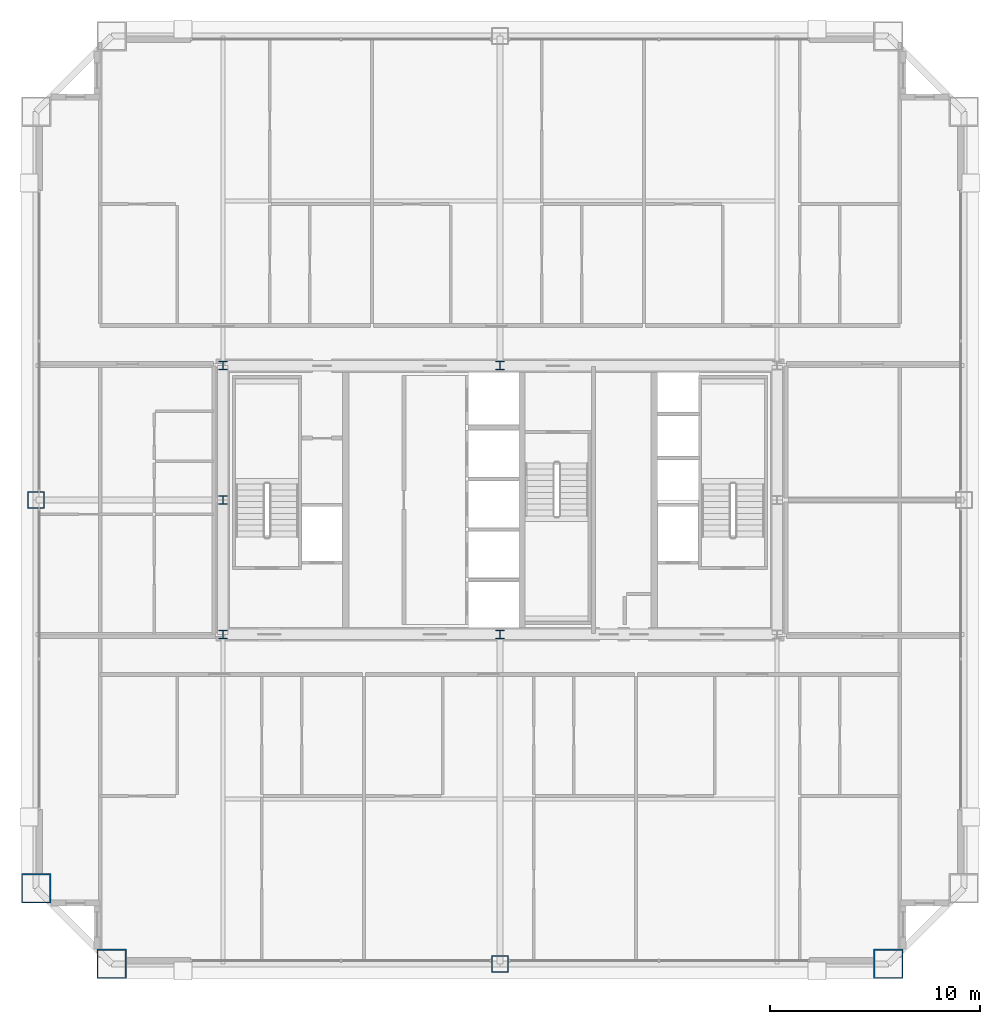
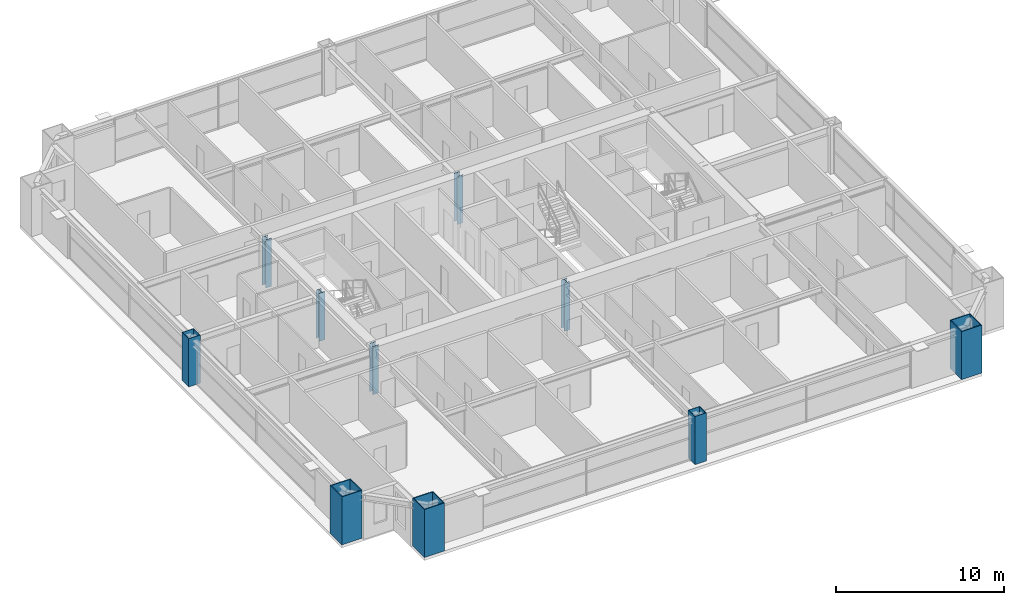
# One storey, part 1 of 38: 10 columns.
"""IFC4 building model written with IfcOpenShell, lengths in metres."""

from ifc_helpers import new_model, si_unit, direction, frame, origin, origin_2d, place, context, subcontext, project, spatial, hollow_rectangle, i_section, extrude, source, transform, mapped, material, material_profile, profile_set, type_object, element, save


model = new_model("IFC4")

# Units and contexts
model_context = context("Model", 3, precision=1e-05, world=origin(), true_north=direction((0.0, 1.0)))
body_context = subcontext(model_context, "Body", "Model", "MODEL_VIEW")
ifc_project = project(units=[si_unit("LENGTHUNIT", "METRE"), si_unit("AREAUNIT", "SQUARE_METRE"), si_unit("VOLUMEUNIT", "CUBIC_METRE"), si_unit("PLANEANGLEUNIT", "RADIAN"), si_unit("MASSUNIT", "GRAM", prefix="KILO"), si_unit("THERMODYNAMICTEMPERATUREUNIT", "KELVIN"), si_unit("POWERUNIT", "WATT")], contexts=[model_context])

# Site, building, storey
site_placement = place(None, origin())
site = spatial("IfcSite", under=ifc_project, at=site_placement, CompositionType="ELEMENT")
building_placement = place(site_placement, origin())
building = spatial("IfcBuilding", under=site, at=building_placement, Name="Yuzanri Waterfront Tower", CompositionType="ELEMENT")
storey_placement = place(building_placement, frame((0.0, 0.0, 209.0)))
storey = spatial("IfcBuildingStorey", under=building, at=storey_placement, Name="L55", CompositionType="ELEMENT", Elevation=209.0)

# Columns
ifc_material_1 = material(Name="Steel Q355B", Category="steel")
ifc_material_profile_1 = material_profile(ifc_material_1, i_section(OverallWidth=0.39990234375, OverallDepth=0.39990234375, WebThickness=0.012939453125, FlangeThickness=0.02099609375, at=origin_2d()), Name="HW 400x400x13x21")
ifc_profile_set_1 = profile_set([ifc_material_profile_1], Name="Steel Q355B")
column_type_1 = type_object("IfcColumnType", Name="Core Post Q355B HW 400x400x13x21", PredefinedType="COLUMN", material=ifc_profile_set_1)
shared_shape_1 = source(origin(), body_context, "Body", "SweptSolid", [
    extrude(i_section(OverallWidth=0.39990234375, OverallDepth=0.39990234375, WebThickness=0.012939453125, FlangeThickness=0.02099609375, at=origin_2d()), origin(), (0.0, 0.0, 1.0), 3.5),
])
for number, where, z_axis, x_axis, name in (
    (1, (23.800048828125, 19.39990234375, 0.0), (0.0, 0.0, 1.0), (1.0, 0.0, 0.0), "L55 Core Boundary Column CP1"),
    (2, (37.0, 19.39990234375, 0.0), (0.0, 0.0, 1.0), (1.0, 0.0, 0.0), "L55 Core Boundary Column CP2"),
    (3, (23.800048828125, 25.800048828125, 0.0), (0.0, 0.0, 1.0), (1.0, 0.0, 0.0), "L55 Core Boundary Column CP4"),
    (4, (23.800048828125, 32.199951171875, 0.0), (0.0, 0.0, 1.0), (1.0, 0.0, 0.0), "L55 Core Boundary Column CP6"),
    (5, (37.0, 32.199951171875, 0.0), (0.0, 0.0, 1.0), (1.0, 0.0, 0.0), "L55 Core Boundary Column CP7"),
):
    element("IfcColumn", number, at=place(storey_placement, frame(where, z_axis=z_axis, x_axis=x_axis)), inside=storey, type_object=column_type_1, Name=name, PredefinedType="COLUMN", context=body_context, shape_type="MappedRepresentation", body=[
        mapped(shared_shape_1, transform((0.0, 0.0, 0.0), scale=1.0)),
    ])
ifc_material_2 = material(Name="Steel Q420GJC", Category="steel")
ifc_material_profile_2 = material_profile(ifc_material_2, hollow_rectangle(XDim=1.39990234375, YDim=1.39990234375, WallThickness=0.06005859375, at=origin_2d()), Name="RHS 1400x1400x60")
ifc_profile_set_2 = profile_set([ifc_material_profile_2], Name="Steel Q420GJC")
column_type_2 = type_object("IfcColumnType", Name="Mega Column Q420GJC RHS 1400x1400x60", PredefinedType="COLUMN", material=ifc_profile_set_2)
shared_shape_2 = source(origin(), body_context, "Body", "SweptSolid", [
    extrude(hollow_rectangle(XDim=1.39990234375, YDim=1.39990234375, WallThickness=0.06005859375, at=origin_2d()), origin(), (0.0, 0.0, 1.0), 3.5),
])
for number, where, z_axis, x_axis, name in (
    (6, (18.5, 3.699951171875, 0.0), (0.0, 0.0, 1.0), (1.0, 0.0, 0.0), "L55 Perimeter Mega Column S1"),
    (7, (55.5, 3.699951171875, 0.0), (0.0, 0.0, 1.0), (1.0, 0.0, 0.0), "L55 Perimeter Mega Column S3"),
    (8, (14.89990234375, 7.300048828125, 0.0), (0.0, 0.0, 1.0), (1.0, 0.0, 0.0), "L55 Perimeter Mega Column W1"),
):
    element("IfcColumn", number, at=place(storey_placement, frame(where, z_axis=z_axis, x_axis=x_axis)), inside=storey, type_object=column_type_2, Name=name, PredefinedType="COLUMN", context=body_context, shape_type="MappedRepresentation", body=[
        mapped(shared_shape_2, transform((0.0, 0.0, 0.0), scale=1.0)),
    ])
ifc_material_3 = material(Name="Steel Q390GJC", Category="steel")
ifc_material_profile_3 = material_profile(ifc_material_3, hollow_rectangle(XDim=0.800048828125, YDim=0.800048828125, WallThickness=0.035888671875, at=origin_2d()), Name="RHS 800x800x36")
ifc_profile_set_3 = profile_set([ifc_material_profile_3], Name="Steel Q390GJC")
column_type_3 = type_object("IfcColumnType", Name="Frame Column Q390GJC RHS 800x800x36", PredefinedType="COLUMN", material=ifc_profile_set_3)
shared_shape_3 = source(origin(), body_context, "Body", "SweptSolid", [
    extrude(hollow_rectangle(XDim=0.800048828125, YDim=0.800048828125, WallThickness=0.035888671875, at=origin_2d()), origin(), (0.0, 0.0, 1.0), 3.5),
])
for number, where, z_axis, x_axis, name in (
    (9, (37.0, 3.699951171875, 0.0), (0.0, 0.0, 1.0), (1.0, 0.0, 0.0), "L55 Perimeter Frame Column S2"),
    (10, (14.89990234375, 25.800048828125, 0.0), (0.0, 0.0, 1.0), (1.0, 0.0, 0.0), "L55 Perimeter Frame Column W2"),
):
    element("IfcColumn", number, at=place(storey_placement, frame(where, z_axis=z_axis, x_axis=x_axis)), inside=storey, type_object=column_type_3, Name=name, PredefinedType="COLUMN", context=body_context, shape_type="MappedRepresentation", body=[
        mapped(shared_shape_3, transform((0.0, 0.0, 0.0), scale=1.0)),
    ])

save(model, "model.ifc")
